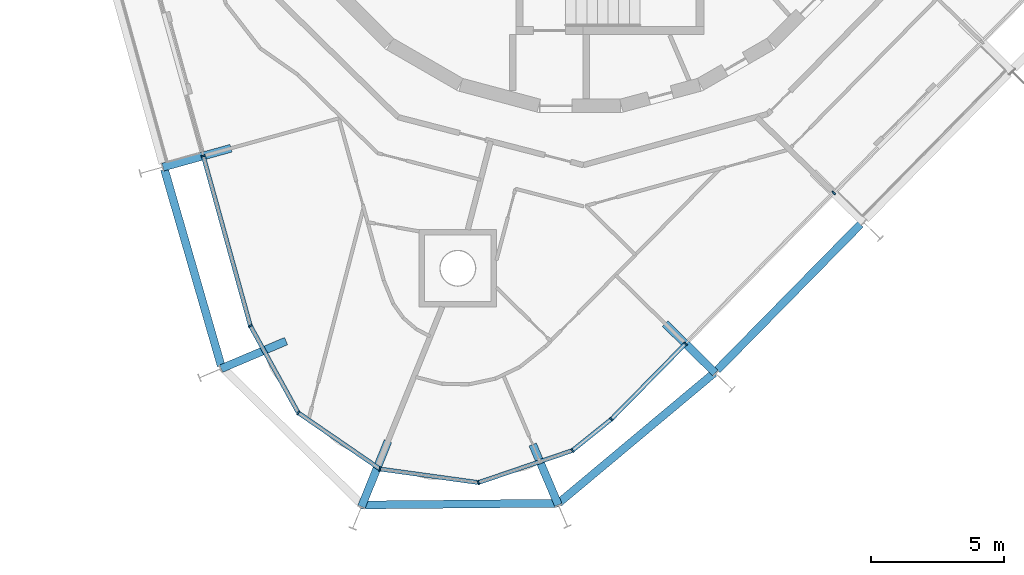
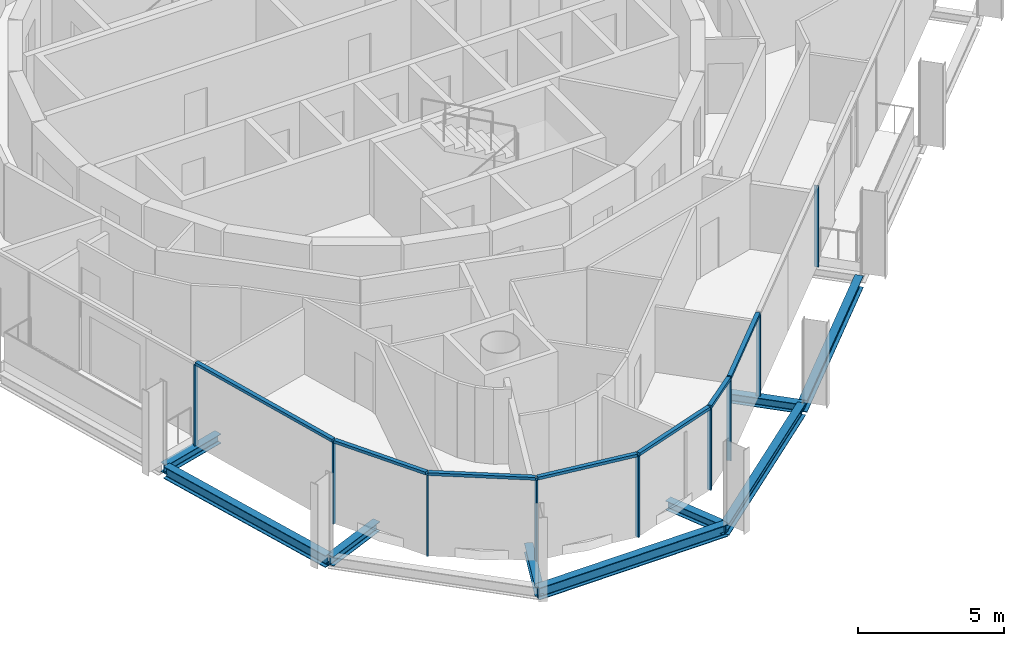
# One storey, part 2 of 16: 16 members, 9 beams, 2 elements without a shape of their own.
"""IFC4 building model written with IfcOpenShell, lengths in metres."""

from ifc_helpers import new_model, si_unit, direction, frame, origin, origin_2d, place, context, subcontext, project, spatial, rectangle, i_section, extrude, material, layer, layer_set, material_profile, profile_set, type_object, element, aggregate, save


model = new_model("IFC4")

# Units and contexts
model_context = context("Model", 3, precision=1e-05, world=origin(), true_north=direction((0.0, 1.0)))
body_context = subcontext(model_context, "Body", "Model", "MODEL_VIEW")
ifc_project = project(units=[si_unit("LENGTHUNIT", "METRE"), si_unit("AREAUNIT", "SQUARE_METRE"), si_unit("VOLUMEUNIT", "CUBIC_METRE"), si_unit("PLANEANGLEUNIT", "RADIAN"), si_unit("MASSUNIT", "GRAM", prefix="KILO")], contexts=[model_context])

# Site, building, storey
site_placement = place(None, origin())
site = spatial("IfcSite", under=ifc_project, at=site_placement, CompositionType="ELEMENT")
building_placement = place(site_placement, origin())
building = spatial("IfcBuilding", under=site, at=building_placement, Name="Spindle Arch Residences", CompositionType="ELEMENT")
storey_placement = place(building_placement, frame((0.0, 0.0, 301.699951171875)))
storey = spatial("IfcBuildingStorey", under=building, at=storey_placement, Name="L77", CompositionType="ELEMENT", Elevation=301.699951171875)

# Curtain wall, members
ifc_material_1 = material(Name="Aluminium bronze unitised frame with tinted glass", Category="aluminium")
ifc_layer_1 = layer(ifc_material_1, 0.159912109375)
ifc_layer_set_1 = layer_set([ifc_layer_1], Name="CW-D corner wall on the fillet arcs")
curtain_wall_type_1 = type_object("IfcCurtainWallType", Name="CW-D corner wall on the fillet arcs", PredefinedType="NOTDEFINED", material=ifc_layer_set_1)
curtain_wall_1_placement = place(storey_placement, origin())
curtain_wall_1 = element("IfcCurtainWall", 1, at=curtain_wall_1_placement, inside=storey, type_object=curtain_wall_type_1, Name="CW-D L77 run 5", PredefinedType="NOTDEFINED")
ifc_material_2 = material(Name="Aluminium bronze anodised mullion", Category="aluminium")
ifc_material_profile_1 = material_profile(ifc_material_2, rectangle(XDim=0.159912109375, YDim=0.06005859375, at=origin_2d()), Name="MU 60x160")
ifc_profile_set_1 = profile_set([ifc_material_profile_1], Name="Aluminium bronze anodised mullion")
member_type_1 = type_object("IfcMemberType", Name="Bronze mullion 60x160", PredefinedType="MULLION", material=ifc_profile_set_1)
member_1_placement = place(storey_placement, frame((-14.1435546875, -13.529296875, -0.3798828125), z_axis=(0.0, 0.0, 1.0), x_axis=(0.963630453209, 0.267238376078, 0.0)))
member_1 = element("IfcMember", 2, at=member_1_placement, type_object=member_type_1, Name="CW-D mullion 00", PredefinedType="MULLION", context=body_context, shape_type="SweptSolid", body=[
    extrude(rectangle(XDim=0.159912109375, YDim=0.06005859375, at=origin_2d()), origin(), (0.0, 0.0, 1.0), 3.3798828125),
])
member_2_placement = place(storey_placement, frame((-12.37548828125, -19.90478515625, -0.3798828125), z_axis=(0.0, 0.0, 1.0), x_axis=(0.876026260142, 0.482263404731, 0.0)))
member_2 = element("IfcMember", 3, at=member_2_placement, type_object=member_type_1, Name="CW-D mullion 01", PredefinedType="MULLION", context=body_context, shape_type="SweptSolid", body=[
    extrude(rectangle(XDim=0.159912109375, YDim=0.06005859375, at=origin_2d()), origin(), (0.0, 0.0, 1.0), 3.3798828125),
])
member_3_placement = place(storey_placement, frame((-10.578125, -23.16943359375, -0.3798828125), z_axis=(0.0, 0.0, 1.0), x_axis=(0.566406236997, 0.824126188573, 0.0)))
member_3 = element("IfcMember", 4, at=member_3_placement, type_object=member_type_1, Name="CW-D mullion 02", PredefinedType="MULLION", context=body_context, shape_type="SweptSolid", body=[
    extrude(rectangle(XDim=0.159912109375, YDim=0.06005859375, at=origin_2d()), origin(), (0.0, 0.0, 1.0), 3.3798828125),
])
member_4_placement = place(storey_placement, frame((-7.5068359375, -25.2802734375, -0.3798828125), z_axis=(0.0, 0.0, 1.0), x_axis=(0.136291936259, 0.99066871764, 0.0)))
member_4 = element("IfcMember", 5, at=member_4_placement, type_object=member_type_1, Name="CW-D mullion 03", PredefinedType="MULLION", context=body_context, shape_type="SweptSolid", body=[
    extrude(rectangle(XDim=0.159912109375, YDim=0.06005859375, at=origin_2d()), origin(), (0.0, 0.0, 1.0), 3.3798828125),
])
member_5_placement = place(storey_placement, frame((-3.81494140625, -25.788330078125, -0.3798828125), z_axis=(0.0, 0.0, 1.0), x_axis=(-0.322816381002, 0.946461612616, 0.0)))
member_5 = element("IfcMember", 6, at=member_5_placement, type_object=member_type_1, Name="CW-D mullion 04", PredefinedType="MULLION", context=body_context, shape_type="SweptSolid", body=[
    extrude(rectangle(XDim=0.159912109375, YDim=0.06005859375, at=origin_2d()), origin(), (0.0, 0.0, 1.0), 3.3798828125),
])
member_6_placement = place(storey_placement, frame((-0.28759765625, -24.585205078125, -0.3798828125), z_axis=(0.0, 0.0, 1.0), x_axis=(-0.627057102153, 0.778973292636, 0.0)))
member_6 = element("IfcMember", 7, at=member_6_placement, type_object=member_type_1, Name="CW-D mullion 05", PredefinedType="MULLION", context=body_context, shape_type="SweptSolid", body=[
    extrude(rectangle(XDim=0.159912109375, YDim=0.06005859375, at=origin_2d()), origin(), (0.0, 0.0, 1.0), 3.3798828125),
])
member_7_placement = place(storey_placement, frame((1.173828125, -23.40869140625, -0.3798828125), z_axis=(0.0, 0.0, 1.0), x_axis=(-0.713250449154, 0.7009092643, 0.0)))
member_7 = element("IfcMember", 8, at=member_7_placement, type_object=member_type_1, Name="CW-D mullion 06", PredefinedType="MULLION", context=body_context, shape_type="SweptSolid", body=[
    extrude(rectangle(XDim=0.159912109375, YDim=0.06005859375, at=origin_2d()), origin(), (0.0, 0.0, 1.0), 3.3798828125),
])

ifc_material_3 = material(Name="Aluminium bronze unitised frame with tinted glass", Category="aluminium")
ifc_layer_2 = layer(ifc_material_3, 0.159912109375)
ifc_layer_set_2 = layer_set([ifc_layer_2], Name="CW-C typical residential unitised wall")
curtain_wall_type_2 = type_object("IfcCurtainWallType", Name="CW-C typical residential unitised wall", PredefinedType="NOTDEFINED", material=ifc_layer_set_2)
curtain_wall_2_placement = place(storey_placement, origin())
curtain_wall_2 = element("IfcCurtainWall", 9, at=curtain_wall_2_placement, inside=storey, type_object=curtain_wall_type_2, Name="CW-C L77 run 6", PredefinedType="NOTDEFINED")
member_8_placement = place(storey_placement, frame((3.95703125, -20.576416015625, -0.3798828125), z_axis=(0.0, 0.0, 1.0), x_axis=(-0.713250449154, 0.7009092643, 0.0)))
member_8 = element("IfcMember", 10, at=member_8_placement, type_object=member_type_1, Name="CW-C mullion 18", PredefinedType="MULLION", context=body_context, shape_type="SweptSolid", body=[
    extrude(rectangle(XDim=0.159912109375, YDim=0.06005859375, at=origin_2d()), origin(), (0.0, 0.0, 1.0), 3.3798828125),
])
member_9_placement = place(storey_placement, frame((9.518798828125, -14.916748046875, -0.3798828125), z_axis=(0.0, 0.0, 1.0), x_axis=(-0.713250449154, 0.7009092643, 0.0)))
member_9 = element("IfcMember", 11, at=member_9_placement, type_object=member_type_1, Name="CW-C mullion 19", PredefinedType="MULLION", context=body_context, shape_type="SweptSolid", body=[
    extrude(rectangle(XDim=0.159912109375, YDim=0.06005859375, at=origin_2d()), origin(), (0.0, 0.0, 1.0), 3.3798828125),
])
aggregate(curtain_wall_2, [member_8, member_9])

# Member
ifc_material_4 = material(Name="Aluminium bronze anodised transom", Category="aluminium")
ifc_material_profile_2 = material_profile(ifc_material_4, rectangle(XDim=0.159912109375, YDim=0.1201171875, at=origin_2d()), Name="TR 120x160")
ifc_profile_set_2 = profile_set([ifc_material_profile_2], Name="Aluminium bronze anodised transom")
member_type_2 = type_object("IfcMemberType", Name="Bronze transom 120x160", PredefinedType="USERDEFINED", material=ifc_profile_set_2)
member_10_placement = place(storey_placement, frame((-14.135498046875, -13.558349609375, 3.06005859375), z_axis=(0.267236650425, -0.963630931773, 0.0), x_axis=(0.963630931773, 0.267236650425, 0.0)))
member_10 = element("IfcMember", 12, at=member_10_placement, type_object=member_type_2, Name="CW-D transom 00", ObjectType="TRANSOM", PredefinedType="USERDEFINED", context=body_context, shape_type="SweptSolid", body=[
    extrude(rectangle(XDim=0.159912109375, YDim=0.1201171875, at=origin_2d()), origin(), (0.0, 0.0, 1.0), 6.555908203125),
])

member_11_placement = place(storey_placement, frame((-12.36083984375, -19.930908203125, 3.06005859375), z_axis=(0.482258656, -0.87602887436, 0.0), x_axis=(0.87602887436, 0.482258656, 0.0)))
member_11 = element("IfcMember", 13, at=member_11_placement, type_object=member_type_2, Name="CW-D transom 01", ObjectType="TRANSOM", PredefinedType="USERDEFINED", context=body_context, shape_type="SweptSolid", body=[
    extrude(rectangle(XDim=0.159912109375, YDim=0.1201171875, at=origin_2d()), origin(), (0.0, 0.0, 1.0), 3.666748046875),
])

member_12_placement = place(storey_placement, frame((-10.553466796875, -23.1865234375, 3.06005859375), z_axis=(0.824162355163, -0.566353610682, 0.0), x_axis=(0.566353610682, 0.824162355163, 0.0)))
member_12 = element("IfcMember", 14, at=member_12_placement, type_object=member_type_2, Name="CW-D transom 02", ObjectType="TRANSOM", PredefinedType="USERDEFINED", context=body_context, shape_type="SweptSolid", body=[
    extrude(rectangle(XDim=0.159912109375, YDim=0.1201171875, at=origin_2d()), origin(), (0.0, 0.0, 1.0), 3.666748046875),
])

member_13_placement = place(storey_placement, frame((-7.47705078125, -25.284423828125, 3.06005859375), z_axis=(0.9906686165, -0.136292671414, 0.0), x_axis=(0.136292671414, 0.9906686165, 0.0)))
member_13 = element("IfcMember", 15, at=member_13_placement, type_object=member_type_2, Name="CW-D transom 03", ObjectType="TRANSOM", PredefinedType="USERDEFINED", context=body_context, shape_type="SweptSolid", body=[
    extrude(rectangle(XDim=0.159912109375, YDim=0.1201171875, at=origin_2d()), origin(), (0.0, 0.0, 1.0), 3.666748046875),
])

member_14_placement = place(storey_placement, frame((-3.786376953125, -25.778564453125, 3.06005859375), z_axis=(0.946449629286, 0.322851512656, 0.0), x_axis=(-0.322851512656, 0.946449629286, 0.0)))
member_14 = element("IfcMember", 16, at=member_14_placement, type_object=member_type_2, Name="CW-D transom 04", ObjectType="TRANSOM", PredefinedType="USERDEFINED", context=body_context, shape_type="SweptSolid", body=[
    extrude(rectangle(XDim=0.159912109375, YDim=0.1201171875, at=origin_2d()), origin(), (0.0, 0.0, 1.0), 3.666748046875),
])

member_15_placement = place(storey_placement, frame((-0.26416015625, -24.56640625, 3.06005859375), z_axis=(0.778910776855, 0.627134755614, 0.0), x_axis=(-0.627134755614, 0.778910776855, 0.0)))
member_15 = element("IfcMember", 17, at=member_15_placement, type_object=member_type_2, Name="CW-D transom 05", ObjectType="TRANSOM", PredefinedType="USERDEFINED", context=body_context, shape_type="SweptSolid", body=[
    extrude(rectangle(XDim=0.159912109375, YDim=0.1201171875, at=origin_2d()), origin(), (0.0, 0.0, 1.0), 1.816162109375),
])

member_16_placement = place(storey_placement, frame((1.19482421875, -23.387451171875, 3.06005859375), z_axis=(0.70089977121, 0.713259777863, 0.0), x_axis=(-0.713259777863, 0.70089977121, 0.0)))
member_16 = element("IfcMember", 18, at=member_16_placement, type_object=member_type_2, Name="CW-D transom 06", ObjectType="TRANSOM", PredefinedType="USERDEFINED", context=body_context, shape_type="SweptSolid", body=[
    extrude(rectangle(XDim=0.159912109375, YDim=0.1201171875, at=origin_2d()), origin(), (0.0, 0.0, 1.0), 3.910888671875),
])

aggregate(curtain_wall_1, [member_1, member_10, member_2, member_11, member_3, member_12, member_4, member_13, member_5, member_14, member_6, member_15, member_7, member_16])

# Beams
ifc_material_5 = material(Name="Steel S460ML, intumescent coating R 120", Category="steel")
ifc_material_profile_3 = material_profile(ifc_material_5, i_section(OverallWidth=0.300048828125, OverallDepth=0.5, WebThickness=0.014404296875, FlangeThickness=0.028076171875, FilletRadius=0.027099609375, at=origin_2d()), Name="HEB 500")
ifc_profile_set_3 = profile_set([ifc_material_profile_3], Name="Steel S460ML, intumescent coating R 120")
beam_type_1 = type_object("IfcBeamType", Name="Exoskeleton edge beam HEB 500", PredefinedType="BEAM", material=ifc_profile_set_3)
beam_1_placement = place(storey_placement, frame((-15.6005859375, -14.035888671875, -0.6298828125), z_axis=(0.277657791247, -0.960680046092, 0.0), x_axis=(0.960680046092, 0.277657791247, 0.0)))
element("IfcBeam", 19, at=beam_1_placement, inside=storey, type_object=beam_type_1, Name="Exoskeleton edge beam 15", PredefinedType="BEAM", context=body_context, shape_type="SweptSolid", body=[
    extrude(i_section(OverallWidth=0.300048828125, OverallDepth=0.5, WebThickness=0.014404296875, FlangeThickness=0.028076171875, FilletRadius=0.027099609375, at=origin_2d()), origin(), (0.0, 0.0, 1.0), 7.671875),
])
beam_2_placement = place(storey_placement, frame((-8.247314453125, -26.628662109375, -0.6298828125), z_axis=(0.999961377867, 0.00878878686, 0.0), x_axis=(-0.00878878686, 0.999961377867, 0.0)))
element("IfcBeam", 20, at=beam_2_placement, inside=storey, type_object=beam_type_1, Name="Exoskeleton edge beam 17", PredefinedType="BEAM", context=body_context, shape_type="SweptSolid", body=[
    extrude(i_section(OverallWidth=0.300048828125, OverallDepth=0.5, WebThickness=0.014404296875, FlangeThickness=0.028076171875, FilletRadius=0.027099609375, at=origin_2d()), origin(), (0.0, 0.0, 1.0), 7.472412109375),
])
beam_3_placement = place(storey_placement, frame((-0.811279296875, -26.5615234375, -0.6298828125), z_axis=(0.767144884688, 0.641473870003, 0.0), x_axis=(-0.641473870003, 0.767144884688, 0.0)))
element("IfcBeam", 21, at=beam_3_placement, inside=storey, type_object=beam_type_1, Name="Exoskeleton edge beam 18", PredefinedType="BEAM", context=body_context, shape_type="SweptSolid", body=[
    extrude(i_section(OverallWidth=0.300048828125, OverallDepth=0.5, WebThickness=0.014404296875, FlangeThickness=0.028076171875, FilletRadius=0.027099609375, at=origin_2d()), origin(), (0.0, 0.0, 1.0), 7.611572265625),
])
beam_4_placement = place(storey_placement, frame((5.146484375, -21.56298828125, -0.6298828125), z_axis=(0.700924831043, 0.713235151425, 0.0), x_axis=(-0.713235151425, 0.700924831043, 0.0)))
element("IfcBeam", 22, at=beam_4_placement, inside=storey, type_object=beam_type_1, Name="Exoskeleton edge beam 19", PredefinedType="BEAM", context=body_context, shape_type="SweptSolid", body=[
    extrude(i_section(OverallWidth=0.300048828125, OverallDepth=0.5, WebThickness=0.014404296875, FlangeThickness=0.028076171875, FilletRadius=0.027099609375, at=origin_2d()), origin(), (0.0, 0.0, 1.0), 7.675048828125),
])
ifc_material_6 = material(Name="Steel S460ML, intumescent coating R 120", Category="steel")
ifc_material_profile_4 = material_profile(ifc_material_6, i_section(OverallWidth=0.300048828125, OverallDepth=0.389892578125, WebThickness=0.010986328125, FlangeThickness=0.01904296875, FilletRadius=0.027099609375, at=origin_2d()), Name="HEA 400")
ifc_profile_set_4 = profile_set([ifc_material_profile_4], Name="Steel S460ML, intumescent coating R 120")
beam_type_2 = type_object("IfcBeamType", Name="Floor outrigger HEA 400", PredefinedType="BEAM", material=ifc_profile_set_4)
beam_5_placement = place(storey_placement, frame((-15.656494140625, -13.948974609375, -0.574951171875), z_axis=(0.963626057771, 0.267254225009, 0.0), x_axis=(-0.267254225009, 0.963626057771, 0.0)))
element("IfcBeam", 23, at=beam_5_placement, inside=storey, type_object=beam_type_2, Name="Floor outrigger 15", PredefinedType="BEAM", context=body_context, shape_type="SweptSolid", body=[
    extrude(i_section(OverallWidth=0.300048828125, OverallDepth=0.389892578125, WebThickness=0.010986328125, FlangeThickness=0.01904296875, FilletRadius=0.027099609375, at=origin_2d()), origin(), (0.0, 0.0, 1.0), 2.650146484375),
])
for number, where, z_axis, x_axis, name in (
    (24, (-13.47314453125, -21.51318359375, -0.574951171875), (0.920615907856, 0.390469397267, 0.0), (-0.390469397267, 0.920615907856, 0.0), "Floor outrigger 16"),
    (25, (-8.20458984375, -26.692626953125, -0.574951171875), (0.374597094323, 0.927187692393, 0.0), (-0.927187692393, 0.374597094323, 0.0), "Floor outrigger 17"),
):
    element("IfcBeam", number, at=place(storey_placement, frame(where, z_axis=z_axis, x_axis=x_axis)), inside=storey, type_object=beam_type_2, Name=name, PredefinedType="BEAM", context=body_context, shape_type="SweptSolid", body=[
        extrude(i_section(OverallWidth=0.300048828125, OverallDepth=0.389892578125, WebThickness=0.010986328125, FlangeThickness=0.01904296875, FilletRadius=0.027099609375, at=origin_2d()), origin(), (0.0, 0.0, 1.0), 2.64990234375),
    ])
beam_6_placement = place(storey_placement, frame((-0.81689453125, -26.62744140625, -0.574951171875), z_axis=(-0.39089545077, 0.920435085472, 0.0), x_axis=(-0.920435085472, -0.39089545077, 0.0)))
element("IfcBeam", 26, at=beam_6_placement, inside=storey, type_object=beam_type_2, Name="Floor outrigger 18", PredefinedType="BEAM", context=body_context, shape_type="SweptSolid", body=[
    extrude(i_section(OverallWidth=0.300048828125, OverallDepth=0.389892578125, WebThickness=0.010986328125, FlangeThickness=0.01904296875, FilletRadius=0.027099609375, at=origin_2d()), origin(), (0.0, 0.0, 1.0), 2.467041015625),
])
beam_7_placement = place(storey_placement, frame((5.076904296875, -21.677001953125, -0.574951171875), z_axis=(-0.713252393258, 0.70090728596, 0.0), x_axis=(-0.70090728596, -0.713252393258, 0.0)))
element("IfcBeam", 27, at=beam_7_placement, inside=storey, type_object=beam_type_2, Name="Floor outrigger 19", PredefinedType="BEAM", context=body_context, shape_type="SweptSolid", body=[
    extrude(i_section(OverallWidth=0.300048828125, OverallDepth=0.389892578125, WebThickness=0.010986328125, FlangeThickness=0.01904296875, FilletRadius=0.027099609375, at=origin_2d()), origin(), (0.0, 0.0, 1.0), 2.650146484375),
])

save(model, "model.ifc")
